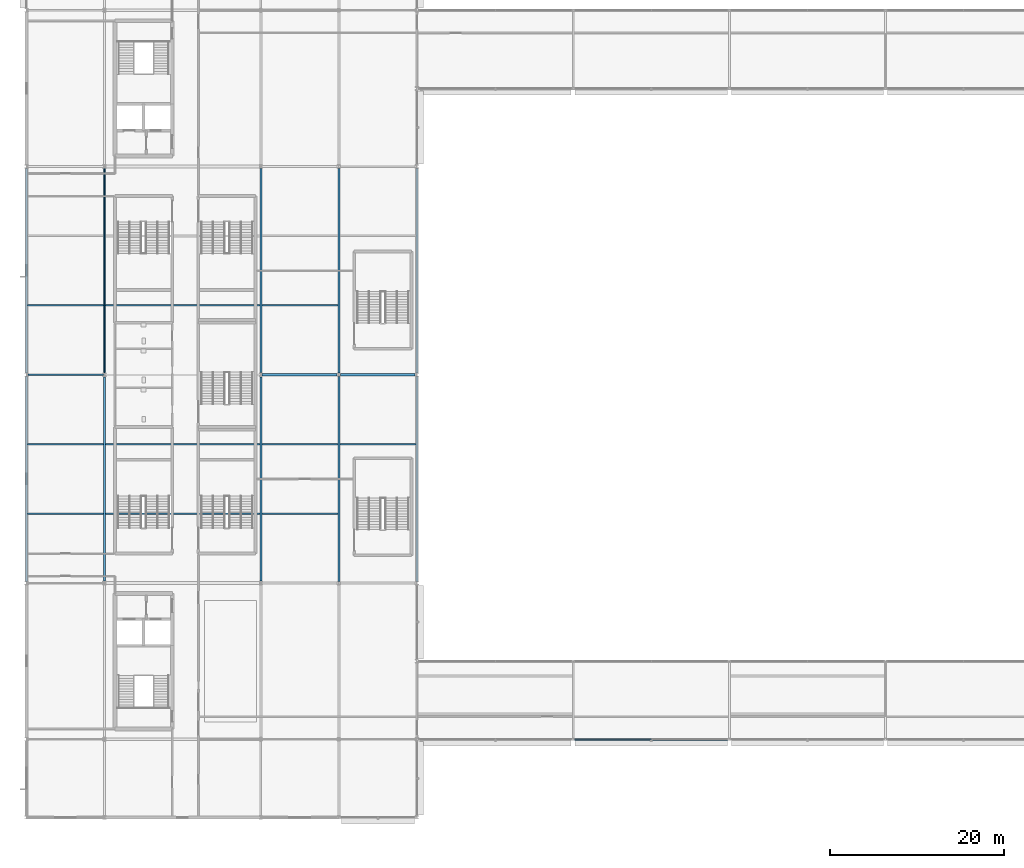
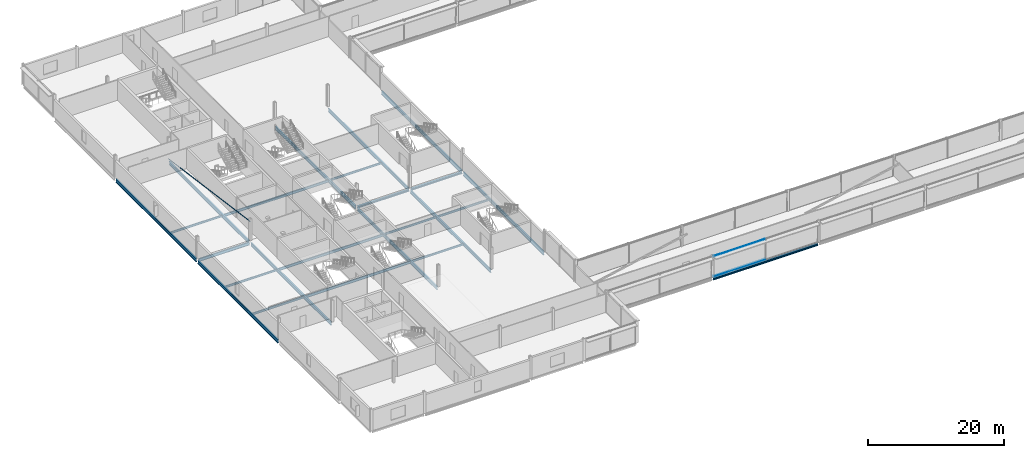
# One storey, part 20 of 98: 24 beams, 3 members, 1 element without a shape of its own.
"""IFC4 building model written with IfcOpenShell, lengths in metres."""

from ifc_helpers import new_model, si_unit, direction, frame, origin, origin_2d, place, context, subcontext, project, spatial, rectangle, hollow_circle, i_section, extrude, material, layer, layer_set, material_profile, profile_set, type_object, element, aggregate, save


model = new_model("IFC4")

# Units and contexts
model_context = context("Model", 3, precision=1e-05, world=origin(), true_north=direction((0.0, 1.0)))
body_context = subcontext(model_context, "Body", "Model", "MODEL_VIEW")
ifc_project = project(units=[si_unit("LENGTHUNIT", "METRE"), si_unit("AREAUNIT", "SQUARE_METRE"), si_unit("VOLUMEUNIT", "CUBIC_METRE"), si_unit("PLANEANGLEUNIT", "RADIAN"), si_unit("MASSUNIT", "GRAM", prefix="KILO")], contexts=[model_context])

# Site, building, storey
site_placement = place(None, origin())
site = spatial("IfcSite", under=ifc_project, at=site_placement, CompositionType="ELEMENT")
building_placement = place(site_placement, origin())
building = spatial("IfcBuilding", under=site, at=building_placement, Name="Kisiwana Market Hall", CompositionType="ELEMENT")
storey_placement = place(building_placement, frame((0.0, 0.0, 29.39990234375)))
storey = spatial("IfcBuildingStorey", under=building, at=storey_placement, Name="L06", CompositionType="ELEMENT", Elevation=29.39990234375)

# Beams
ifc_material_1 = material(Name="Steel S355", Category="steel")
ifc_material_profile_1 = material_profile(ifc_material_1, i_section(OverallWidth=0.209228515625, OverallDepth=0.533203125, WebThickness=0.010009765625, FlangeThickness=0.015625, at=origin_2d()), Name="UB 533x210x92")
ifc_profile_set_1 = profile_set([ifc_material_profile_1], Name="Steel S355")
beam_type_1 = type_object("IfcBeamType", Name="BM-GIRD-UB533", PredefinedType="BEAM", material=ifc_profile_set_1)
beam_1_placement = place(storey_placement, frame((0.19921875, 60.0, -0.511474609375), z_axis=(1.0, 0.0, 0.0), x_axis=(0.0, 1.0, 0.0)))
element("IfcBeam", 1, at=beam_1_placement, inside=storey, type_object=beam_type_1, Name="Primary girder B-1699", PredefinedType="BEAM", context=body_context, shape_type="SweptSolid", body=[
    extrude(i_section(OverallWidth=0.209228515625, OverallDepth=0.533203125, WebThickness=0.010009765625, FlangeThickness=0.015625, at=origin_2d()), origin(), (0.0, 0.0, 1.0), 8.65478515625),
])
ifc_material_2 = material(Name="Steel S355", Category="steel")
ifc_material_profile_2 = material_profile(ifc_material_2, i_section(OverallWidth=0.22900390625, OverallDepth=0.6123046875, WebThickness=0.011962890625, FlangeThickness=0.01953125, at=origin_2d()), Name="UB 610x229x125")
ifc_profile_set_2 = profile_set([ifc_material_profile_2], Name="Steel S355")
beam_type_2 = type_object("IfcBeamType", Name="BM-GIRD-UB610H", PredefinedType="BEAM", material=ifc_profile_set_2)
for number, where, z_axis, x_axis, name in (
    (2, (0.0, 36.19921875, -0.551025390625), (0.0, 1.0, 0.0), (-1.0, 0.0, 0.0), "Floor beam B-1851"),
    (3, (0.0, 60.19921875, -0.551025390625), (0.0, 1.0, 0.0), (-1.0, 0.0, 0.0), "Floor beam B-1852"),
):
    element("IfcBeam", number, at=place(storey_placement, frame(where, z_axis=z_axis, x_axis=x_axis)), inside=storey, type_object=beam_type_2, Name=name, PredefinedType="BEAM", context=body_context, shape_type="SweptSolid", body=[
        extrude(i_section(OverallWidth=0.22900390625, OverallDepth=0.6123046875, WebThickness=0.011962890625, FlangeThickness=0.01953125, at=origin_2d()), origin(), (0.0, 0.0, 1.0), 23.6015625),
    ])
for number, where, z_axis, x_axis, name in (
    (4, (27.0, 36.24609375, -0.551025390625), (0.0, 1.0, 0.0), (-1.0, 0.0, 0.0), "Floor beam B-1855"),
    (5, (27.0, 60.24609375, -0.551025390625), (0.0, 1.0, 0.0), (-1.0, 0.0, 0.0), "Floor beam B-1856"),
):
    element("IfcBeam", number, at=place(storey_placement, frame(where, z_axis=z_axis, x_axis=x_axis)), inside=storey, type_object=beam_type_2, Name=name, PredefinedType="BEAM", context=body_context, shape_type="SweptSolid", body=[
        extrude(i_section(OverallWidth=0.22900390625, OverallDepth=0.6123046875, WebThickness=0.011962890625, FlangeThickness=0.01953125, at=origin_2d()), origin(), (0.0, 0.0, 1.0), 23.5078125),
    ])
for number, where, z_axis, x_axis, name in (
    (6, (45.0, 36.19921875, -0.551025390625), (0.0, 1.0, 0.0), (-1.0, 0.0, 0.0), "Floor beam B-1859"),
    (7, (45.0, 60.19921875, -0.551025390625), (0.0, 1.0, 0.0), (-1.0, 0.0, 0.0), "Floor beam B-1860"),
):
    element("IfcBeam", number, at=place(storey_placement, frame(where, z_axis=z_axis, x_axis=x_axis)), inside=storey, type_object=beam_type_2, Name=name, PredefinedType="BEAM", context=body_context, shape_type="SweptSolid", body=[
        extrude(i_section(OverallWidth=0.22900390625, OverallDepth=0.6123046875, WebThickness=0.011962890625, FlangeThickness=0.01953125, at=origin_2d()), origin(), (0.0, 0.0, 1.0), 23.6015625),
    ])
for number, where, z_axis, x_axis, name in (
    (8, (9.0, 36.24609375, -0.551025390625), (0.0, 1.0, 0.0), (-1.0, 0.0, 0.0), "Primary girder B-1703"),
    (9, (9.0, 60.24609375, -0.551025390625), (0.0, 1.0, 0.0), (-1.0, 0.0, 0.0), "Primary girder B-1704"),
):
    element("IfcBeam", number, at=place(storey_placement, frame(where, z_axis=z_axis, x_axis=x_axis)), inside=storey, type_object=beam_type_2, Name=name, PredefinedType="BEAM", context=body_context, shape_type="SweptSolid", body=[
        extrude(i_section(OverallWidth=0.22900390625, OverallDepth=0.6123046875, WebThickness=0.011962890625, FlangeThickness=0.01953125, at=origin_2d()), origin(), (0.0, 0.0, 1.0), 23.5078125),
    ])
for number, where, z_axis, x_axis, name in (
    (10, (36.0, 36.19921875, -0.551025390625), (0.0, 1.0, 0.0), (-1.0, 0.0, 0.0), "Primary girder B-1713"),
    (11, (36.0, 60.19921875, -0.551025390625), (0.0, 1.0, 0.0), (-1.0, 0.0, 0.0), "Primary girder B-1714"),
):
    element("IfcBeam", number, at=place(storey_placement, frame(where, z_axis=z_axis, x_axis=x_axis)), inside=storey, type_object=beam_type_2, Name=name, PredefinedType="BEAM", context=body_context, shape_type="SweptSolid", body=[
        extrude(i_section(OverallWidth=0.22900390625, OverallDepth=0.6123046875, WebThickness=0.011962890625, FlangeThickness=0.01953125, at=origin_2d()), origin(), (0.0, 0.0, 1.0), 23.6015625),
    ])
ifc_material_3 = material(Name="Steel S355", Category="steel")
ifc_material_profile_3 = material_profile(ifc_material_3, i_section(OverallWidth=0.17138671875, OverallDepth=0.35498046875, WebThickness=0.00732421875, FlangeThickness=0.011474609375, at=origin_2d()), Name="UB 356x171x51")
ifc_profile_set_3 = profile_set([ifc_material_profile_3], Name="Steel S355")
beam_type_3 = type_object("IfcBeamType", Name="BM-JOIST-UB356", PredefinedType="JOIST", material=ifc_profile_set_3)
for number, where, z_axis, x_axis, name in (
    (12, (0.113525390625, 44.0, -0.42236328125), (1.0, 0.0, 0.0), (0.0, 1.0, 0.0), "Secondary floor joist B-1747"),
    (13, (27.113525390625, 44.0, -0.42236328125), (1.0, 0.0, 0.0), (0.0, 1.0, 0.0), "Secondary floor joist B-1749"),
    (14, (0.113525390625, 52.0, -0.42236328125), (1.0, 0.0, 0.0), (0.0, 1.0, 0.0), "Secondary floor joist B-1753"),
    (15, (27.113525390625, 52.0, -0.42236328125), (1.0, 0.0, 0.0), (0.0, 1.0, 0.0), "Secondary floor joist B-1755"),
    (16, (36.113525390625, 52.0, -0.42236328125), (1.0, 0.0, 0.0), (0.0, 1.0, 0.0), "Secondary floor joist B-1756"),
    (17, (0.113525390625, 68.0, -0.42236328125), (1.0, 0.0, 0.0), (0.0, 1.0, 0.0), "Secondary floor joist B-1761"),
    (18, (27.113525390625, 68.0, -0.42236328125), (1.0, 0.0, 0.0), (0.0, 1.0, 0.0), "Secondary floor joist B-1763"),
):
    element("IfcBeam", number, at=place(storey_placement, frame(where, z_axis=z_axis, x_axis=x_axis)), inside=storey, type_object=beam_type_3, Name=name, PredefinedType="JOIST", context=body_context, shape_type="SweptSolid", body=[
        extrude(i_section(OverallWidth=0.17138671875, OverallDepth=0.35498046875, WebThickness=0.00732421875, FlangeThickness=0.011474609375, at=origin_2d()), origin(), (0.0, 0.0, 1.0), 8.77294921875),
    ])
ifc_material_4 = material(Name="Steel S355", Category="steel")
ifc_material_profile_4 = material_profile(ifc_material_4, i_section(OverallWidth=0.18994140625, OverallDepth=0.453369140625, WebThickness=0.008544921875, FlangeThickness=0.0126953125, at=origin_2d()), Name="UB 457x191x67")
ifc_profile_set_4 = profile_set([ifc_material_profile_4], Name="Steel S355")
beam_type_4 = type_object("IfcBeamType", Name="BM-JOIST-UB457", PredefinedType="JOIST", material=ifc_profile_set_4)
for number, where, z_axis, x_axis, name in (
    (19, (9.113525390625, 44.0, -0.4716796875), (1.0, 0.0, 0.0), (0.0, 1.0, 0.0), "Secondary floor joist B-1748"),
    (20, (9.113525390625, 52.0, -0.4716796875), (1.0, 0.0, 0.0), (0.0, 1.0, 0.0), "Secondary floor joist B-1754"),
    (21, (9.113525390625, 68.0, -0.4716796875), (1.0, 0.0, 0.0), (0.0, 1.0, 0.0), "Secondary floor joist B-1762"),
):
    element("IfcBeam", number, at=place(storey_placement, frame(where, z_axis=z_axis, x_axis=x_axis)), inside=storey, type_object=beam_type_4, Name=name, PredefinedType="JOIST", context=body_context, shape_type="SweptSolid", body=[
        extrude(i_section(OverallWidth=0.18994140625, OverallDepth=0.453369140625, WebThickness=0.008544921875, FlangeThickness=0.0126953125, at=origin_2d()), origin(), (0.0, 0.0, 1.0), 17.77294921875),
    ])
ifc_material_5 = material(Name="Steel S355", Category="steel")
ifc_material_profile_5 = material_profile(ifc_material_5, i_section(OverallWidth=0.314453125, OverallDepth=0.33984375, WebThickness=0.01904296875, FlangeThickness=0.031494140625, at=origin_2d()), Name="UC 305x305x198")
ifc_profile_set_5 = profile_set([ifc_material_profile_5], Name="Steel S355")
beam_type_5 = type_object("IfcBeamType", Name="BM-SKYBR-CHORD", PredefinedType="BEAM", material=ifc_profile_set_5)
beam_2_placement = place(storey_placement, frame((63.12109375, 18.0, -0.434814453125), z_axis=(1.0, 0.0, 0.0), x_axis=(0.0, 1.0, 0.0)))
element("IfcBeam", 22, at=beam_2_placement, inside=storey, type_object=beam_type_5, Name="Floor beam B-1788", PredefinedType="BEAM", context=body_context, shape_type="SweptSolid", body=[
    extrude(i_section(OverallWidth=0.314453125, OverallDepth=0.33984375, WebThickness=0.01904296875, FlangeThickness=0.031494140625, at=origin_2d()), origin(), (0.0, 0.0, 1.0), 17.7578125),
])
beam_3_placement = place(storey_placement, frame((27.14599609375, 60.0, -0.414794921875), z_axis=(1.0, 0.0, 0.0), x_axis=(0.0, 1.0, 0.0)))
element("IfcBeam", 23, at=beam_3_placement, inside=storey, type_object=beam_type_5, Name="Floor beam B-1811", PredefinedType="BEAM", context=body_context, shape_type="SweptSolid", body=[
    extrude(i_section(OverallWidth=0.314453125, OverallDepth=0.33984375, WebThickness=0.01904296875, FlangeThickness=0.031494140625, at=origin_2d()), origin(), (0.0, 0.0, 1.0), 8.65478515625),
])
beam_4_placement = place(storey_placement, frame((36.19921875, 60.0, -0.414794921875), z_axis=(1.0, 0.0, 0.0), x_axis=(0.0, 1.0, 0.0)))
element("IfcBeam", 24, at=beam_4_placement, inside=storey, type_object=beam_type_5, Name="Floor beam B-1697", PredefinedType="BEAM", context=body_context, shape_type="SweptSolid", body=[
    extrude(i_section(OverallWidth=0.314453125, OverallDepth=0.33984375, WebThickness=0.01904296875, FlangeThickness=0.031494140625, at=origin_2d()), origin(), (0.0, 0.0, 1.0), 8.6015625),
])

# Curtain wall, members
ifc_material_6 = material(Name="Double-glazed solar-control low-E IGU", Category="glass")
ifc_layer = layer(ifc_material_6, 0.159912109375)
ifc_layer_set = layer_set([ifc_layer], Name="CW-ZNA-EW-8200")
curtain_wall_type = type_object("IfcCurtainWallType", Name="CW-ZNA-EW-8200", PredefinedType="USERDEFINED", material=ifc_layer_set)
curtain_wall_placement = place(storey_placement, origin())
curtain_wall = element("IfcCurtainWall", 25, at=curtain_wall_placement, inside=storey, type_object=curtain_wall_type, Name="Unitised curtain wall CW-173 (L06)", ObjectType="UNITISED CURTAIN WALL", PredefinedType="USERDEFINED")
ifc_material_7 = material(Name="Aluminium alloy 6063-T6", Category="aluminium")
ifc_material_profile_6 = material_profile(ifc_material_7, rectangle(XDim=0.1201171875, YDim=0.06005859375, at=origin_2d()), Name="ALU TRANSOM 60x120")
ifc_profile_set_6 = profile_set([ifc_material_profile_6], Name="Aluminium alloy 6063-T6")
member_type_1 = type_object("IfcMemberType", Name="CW-TRAN-60x120", PredefinedType="USERDEFINED", material=ifc_profile_set_6)
member_1_placement = place(storey_placement, frame((63.18505859375, 18.0, 0.030029296875), z_axis=(1.0, 0.0, 0.0), x_axis=(0.0, 1.0, 0.0)))
member_1 = element("IfcMember", 26, at=member_1_placement, type_object=member_type_1, Name="CW-173 transom 1.1", ObjectType="TRANSOM", PredefinedType="USERDEFINED", context=body_context, shape_type="SweptSolid", body=[
    extrude(rectangle(XDim=0.1201171875, YDim=0.06005859375, at=origin_2d()), origin(), (0.0, 0.0, 1.0), 8.784912109375),
])
member_2_placement = place(storey_placement, frame((63.18505859375, 18.0, 3.590087890625), z_axis=(1.0, 0.0, 0.0), x_axis=(0.0, 1.0, 0.0)))
member_2 = element("IfcMember", 27, at=member_2_placement, type_object=member_type_1, Name="CW-173 transom 1.2", ObjectType="TRANSOM", PredefinedType="USERDEFINED", context=body_context, shape_type="SweptSolid", body=[
    extrude(rectangle(XDim=0.1201171875, YDim=0.06005859375, at=origin_2d()), origin(), (0.0, 0.0, 1.0), 8.784912109375),
])
aggregate(curtain_wall, [member_1, member_2])

# Member
ifc_material_8 = material(Name="Steel S355", Category="steel")
ifc_material_profile_7 = material_profile(ifc_material_8, hollow_circle(Radius=0.06982421875, WallThickness=0.008056640625, at=origin_2d()), Name="CHS 139.7x8")
ifc_profile_set_7 = profile_set([ifc_material_profile_7], Name="Steel S355")
member_type_2 = type_object("IfcMemberType", Name="MB-CBF-CHS139", PredefinedType="BRACE", material=ifc_profile_set_7)
member_3_placement = place(storey_placement, frame((9.0, 84.0, 0.0), z_axis=(0.0, -0.990566729214, 0.13703121898), x_axis=(1.0, 0.0, 0.0)))
element("IfcMember", 28, at=member_3_placement, inside=storey, type_object=member_type_2, Name="CBF-W-S diagonal brace (L06) M-0031", PredefinedType="BRACE", context=body_context, shape_type="SweptSolid", body=[
    extrude(hollow_circle(Radius=0.06982421875, WallThickness=0.008056640625, at=origin_2d()), origin(), (0.0, 0.0, 1.0), 24.228515625),
])

save(model, "model.ifc")
